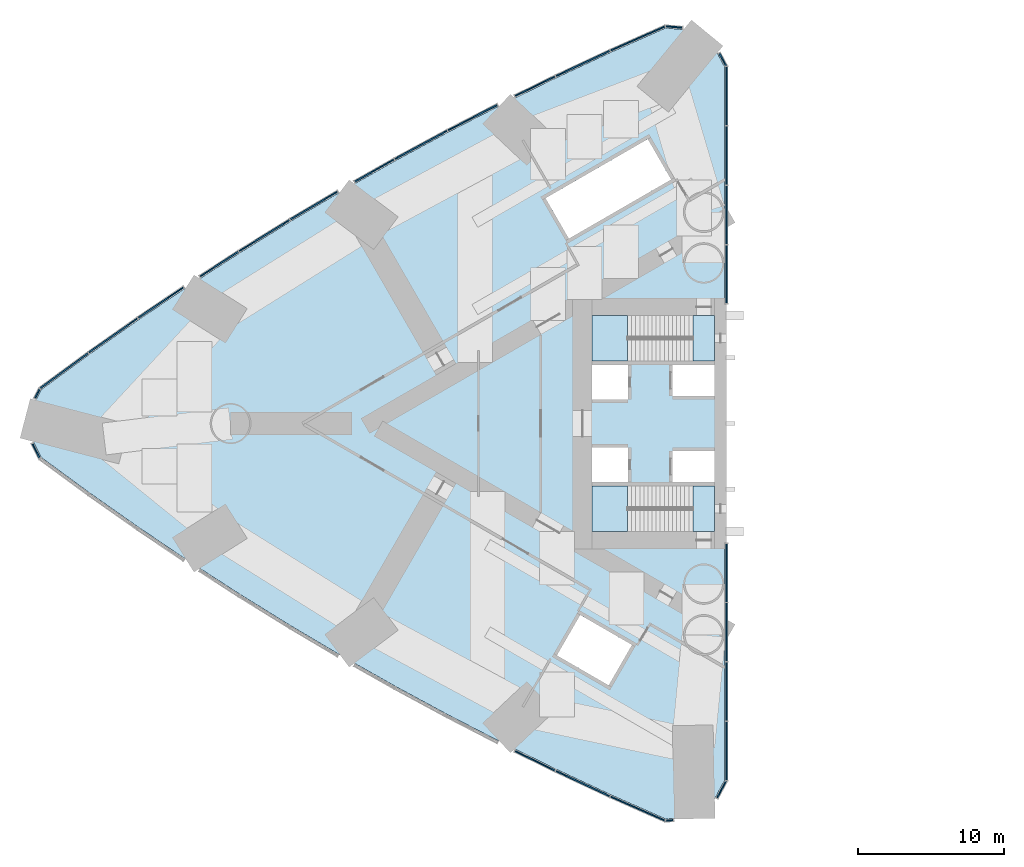
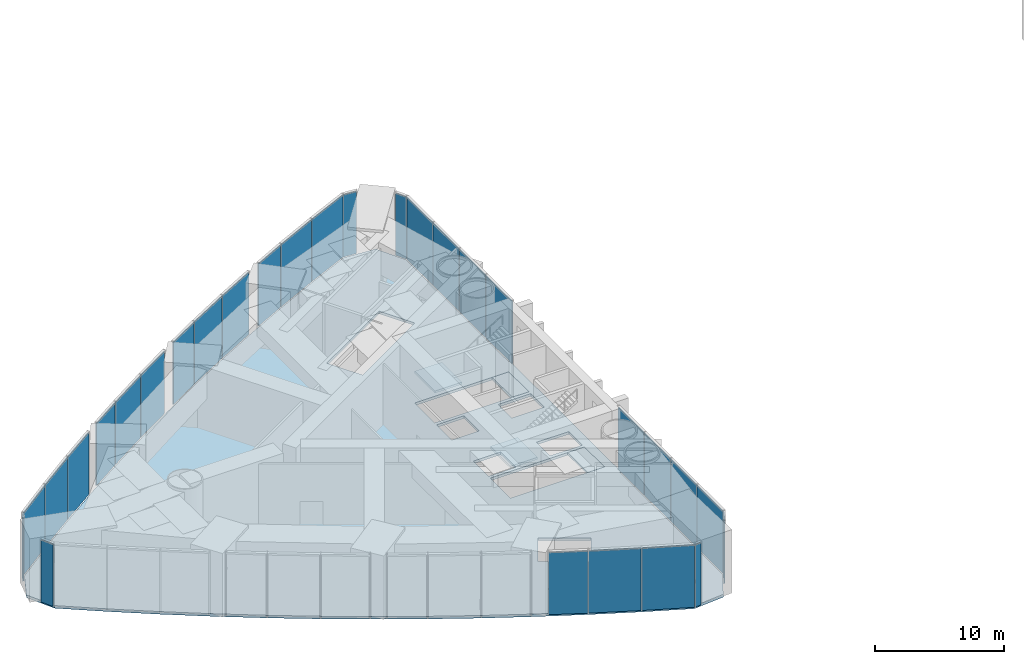
# One storey, part 11 of 18: 29 plates, 5 slabs, 10 elements without a shape of their own.
"""IFC4 building model written with IfcOpenShell, lengths in metres."""

from ifc_helpers import new_model, si_unit, direction, frame, origin, origin_2d, place, context, subcontext, project, spatial, polyline, rectangle, outline, extrude, material, layer, layer_set, type_object, element, aggregate, save


model = new_model("IFC4")

# Units and contexts
model_context = context("Model", 3, precision=1e-05, world=origin(), true_north=direction((0.0, 1.0)))
body_context = subcontext(model_context, "Body", "Model", "MODEL_VIEW")
ifc_project = project(units=[si_unit("LENGTHUNIT", "METRE"), si_unit("AREAUNIT", "SQUARE_METRE"), si_unit("VOLUMEUNIT", "CUBIC_METRE"), si_unit("PLANEANGLEUNIT", "RADIAN"), si_unit("MASSUNIT", "GRAM", prefix="KILO")], contexts=[model_context])

# Site, building, storey
site_placement = place(None, origin())
site = spatial("IfcSite", under=ifc_project, at=site_placement, CompositionType="ELEMENT")
building_placement = place(site_placement, origin())
building = spatial("IfcBuilding", under=site, at=building_placement, Name="Lancet Gate Hotel", CompositionType="ELEMENT")
storey_placement = place(building_placement, frame((0.0, 0.0, 81.0)))
storey = spatial("IfcBuildingStorey", under=building, at=storey_placement, Name="L21", CompositionType="ELEMENT", Elevation=81.0)

# Slab
ifc_material_1 = material(Name="Concrete C50/60", Category="concrete")
ifc_layer_1 = layer(ifc_material_1, 0.25)
ifc_layer_set_1 = layer_set([ifc_layer_1], Name="Floor slab 250")
slab_type_1 = type_object("IfcSlabType", Name="Floor slab 250", PredefinedType="FLOOR", material=ifc_layer_set_1)
slab_1_placement = place(storey_placement, frame((0.0, 0.0, -0.25)))
element("IfcSlab", 1, at=slab_1_placement, inside=storey, type_object=slab_type_1, Name="T1 L21 floor slab", PredefinedType="FLOOR", context=body_context, shape_type="SweptSolid", body=[
    extrude(outline(polyline([(-27.5, 8.60009765625), (-27.6201171875, 8.60009765625), (-27.6201171875, 24.4609375), (-28.926513671875, 26.8837890625), (-31.668212890625, 27.12353515625), (-35.424072265625, 25.458740234375), (-39.173583984375, 23.70849609375), (-42.887939453125, 21.884765625), (-46.56591796875, 19.98876953125), (-50.2060546875, 18.02099609375), (-53.806884765625, 15.982421875), (-57.366943359375, 13.87353515625), (-60.88525390625, 11.695068359375), (-64.360107421875, 9.448486328125), (-67.7900390625, 7.134033203125), (-71.17431640625, 4.752685546875), (-74.488525390625, 2.322021484375), (-75.65087890625, 0.0), (-74.488525390625, -2.322021484375), (-71.17431640625, -4.752685546875), (-67.7900390625, -7.134033203125), (-64.360107421875, -9.448486328125), (-60.88525390625, -11.695068359375), (-57.366943359375, -13.87353515625), (-53.806884765625, -15.982421875), (-50.2060546875, -18.02099609375), (-46.56591796875, -19.98876953125), (-42.887939453125, -21.884765625), (-39.173583984375, -23.70849609375), (-35.424072265625, -25.458740234375), (-31.668212890625, -27.12353515625), (-28.926513671875, -26.8837890625), (-27.6201171875, -24.4609375), (-27.6201171875, -8.60009765625), (-27.5, -8.60009765625), (-27.5, -8.199951171875), (-27.5, 8.199951171875), (-27.5, 8.60009765625)]), holes=[polyline([(-36.699951171875, 7.39990234375), (-36.699951171875, 4.300048828125), (-28.300048828125, 4.300048828125), (-28.300048828125, 7.39990234375), (-36.699951171875, 7.39990234375)]), polyline([(-28.300048828125, 4.0), (-31.199951171875, 4.0), (-31.199951171875, 1.89990234375), (-28.300048828125, 1.89990234375), (-28.300048828125, 4.0)]), polyline([(-34.25, 4.0), (-36.699951171875, 4.0), (-36.699951171875, 1.64990234375), (-34.25, 1.64990234375), (-34.25, 4.0)]), polyline([(-36.699951171875, -1.64990234375), (-36.699951171875, -4.0), (-34.25, -4.0), (-34.25, -1.64990234375), (-36.699951171875, -1.64990234375)]), polyline([(-28.300048828125, -1.89990234375), (-31.199951171875, -1.89990234375), (-31.199951171875, -4.0), (-28.300048828125, -4.0), (-28.300048828125, -1.89990234375)]), polyline([(-28.300048828125, -4.300048828125), (-36.699951171875, -4.300048828125), (-36.699951171875, -7.39990234375), (-28.300048828125, -7.39990234375), (-28.300048828125, -4.300048828125)]), polyline([(-31.2900390625, 16.73095703125), (-32.889892578125, 19.501953125), (-39.904052734375, 15.451904296875), (-38.303955078125, 12.680908203125), (-31.2900390625, 16.73095703125)]), polyline([(-33.97412109375, -15.180908203125), (-37.52490234375, -13.131103515625), (-39.125, -15.902099609375), (-35.573974609375, -17.951904296875), (-33.97412109375, -15.180908203125)])]), origin(), (0.0, 0.0, 1.0), 0.25),
])

# Curtain wall, plates
ifc_material_2 = material(Name="Aluminium curtain wall", Category="aluminium")
curtain_wall_type = type_object("IfcCurtainWallType", Name="Refuge storey louvred curtain wall", PredefinedType="USERDEFINED", material=ifc_material_2)
curtain_wall_1_placement = place(storey_placement, origin())
curtain_wall_1 = element("IfcCurtainWall", 2, at=curtain_wall_1_placement, inside=storey, type_object=curtain_wall_type, Name="T1 L21 curtain wall 1", ObjectType="LANTERN GLAZING", PredefinedType="USERDEFINED")
ifc_material_3 = material(Name="Aluminium weather louvre 100 deep", Category="aluminium")
ifc_layer_2 = layer(ifc_material_3, 0.10009765625)
ifc_layer_set_2 = layer_set([ifc_layer_2], Name="Louvre panel")
plate_type = type_object("IfcPlateType", Name="Louvre panel", PredefinedType="CURTAIN_PANEL", material=ifc_layer_set_2)
plate_1_placement = place(storey_placement, frame((-27.5, 10.236328125, 0.0), z_axis=(0.0, 0.0, 1.0), x_axis=(0.0, 1.0, 0.0)))
plate_1 = element("IfcPlate", 3, at=plate_1_placement, type_object=plate_type, Name="T1 L21 curtain wall 1 panel 1", PredefinedType="CURTAIN_PANEL", context=body_context, shape_type="SweptSolid", body=[
    extrude(rectangle(XDim=4.0078125, YDim=0.10009765625, at=origin_2d()), origin(), (0.0, 0.0, 1.0), 5.85009765625),
])
plate_2_placement = place(storey_placement, frame((-27.5, 14.30908203125, 0.0), z_axis=(0.0, 0.0, 1.0), x_axis=(0.0, 1.0, 0.0)))
plate_2 = element("IfcPlate", 4, at=plate_2_placement, type_object=plate_type, Name="T1 L21 curtain wall 1 panel 2", PredefinedType="CURTAIN_PANEL", context=body_context, shape_type="SweptSolid", body=[
    extrude(rectangle(XDim=4.0078125, YDim=0.10009765625, at=origin_2d()), origin(), (0.0, 0.0, 1.0), 5.85009765625),
])
plate_3_placement = place(storey_placement, frame((-27.5, 18.382080078125, 0.0), z_axis=(0.0, 0.0, 1.0), x_axis=(0.0, 1.0, 0.0)))
plate_3 = element("IfcPlate", 5, at=plate_3_placement, type_object=plate_type, Name="T1 L21 curtain wall 1 panel 3", PredefinedType="CURTAIN_PANEL", context=body_context, shape_type="SweptSolid", body=[
    extrude(rectangle(XDim=4.0078125, YDim=0.10009765625, at=origin_2d()), origin(), (0.0, 0.0, 1.0), 5.85009765625),
])
plate_4_placement = place(storey_placement, frame((-27.5, 22.454833984375, 0.0), z_axis=(0.0, 0.0, 1.0), x_axis=(0.0, 1.0, 0.0)))
plate_4 = element("IfcPlate", 6, at=plate_4_placement, type_object=plate_type, Name="T1 L21 curtain wall 1 panel 4", PredefinedType="CURTAIN_PANEL", context=body_context, shape_type="SweptSolid", body=[
    extrude(rectangle(XDim=4.0078125, YDim=0.10009765625, at=origin_2d()), origin(), (0.0, 0.0, 1.0), 5.85009765625),
])
plate_5_placement = place(storey_placement, frame((-27.749755859375, 24.9541015625, 0.0), z_axis=(0.0, 0.0, 1.0), x_axis=(-0.474631040972, 0.880184852714, 0.0)))
plate_5 = element("IfcPlate", 7, at=plate_5_placement, type_object=plate_type, Name="T1 L21 curtain wall 1 panel 5", PredefinedType="CURTAIN_PANEL", context=body_context, shape_type="SweptSolid", body=[
    extrude(rectangle(XDim=0.987060546875, YDim=0.10009765625, at=origin_2d()), origin(), (0.0, 0.0, 1.0), 5.85009765625),
])
aggregate(curtain_wall_1, [plate_1, plate_2, plate_3, plate_4, plate_5])

curtain_wall_2_placement = place(storey_placement, origin())
curtain_wall_2 = element("IfcCurtainWall", 8, at=curtain_wall_2_placement, inside=storey, type_object=curtain_wall_type, Name="T1 L21 curtain wall 2", ObjectType="LANTERN GLAZING", PredefinedType="USERDEFINED")
plate_6_placement = place(storey_placement, frame((-31.087158203125, 27.193115234375, 0.0), z_axis=(0.0, 0.0, 1.0), x_axis=(-0.99620380374, 0.087051602022, 0.0)))
plate_6 = element("IfcPlate", 9, at=plate_6_placement, type_object=plate_type, Name="T1 L21 curtain wall 2 panel 1", PredefinedType="CURTAIN_PANEL", context=body_context, shape_type="SweptSolid", body=[
    extrude(rectangle(XDim=1.142822265625, YDim=0.10009765625, at=origin_2d()), origin(), (0.0, 0.0, 1.0), 5.85009765625),
])
plate_7_placement = place(storey_placement, frame((-33.581298828125, 26.406982421875, 0.0), z_axis=(0.0, 0.0, 1.0), x_axis=(-0.914234183208, -0.405186201954, 0.0)))
plate_7 = element("IfcPlate", 10, at=plate_7_placement, type_object=plate_type, Name="T1 L21 curtain wall 2 panel 2", PredefinedType="CURTAIN_PANEL", context=body_context, shape_type="SweptSolid", body=[
    extrude(rectangle(XDim=4.0751953125, YDim=0.10009765625, at=origin_2d()), origin(), (0.0, 0.0, 1.0), 5.85009765625),
])
plate_8_placement = place(storey_placement, frame((-37.349609375, 24.6923828125, 0.0), z_axis=(0.0, 0.0, 1.0), x_axis=(-0.906117767284, -0.423025521467, 0.0)))
plate_8 = element("IfcPlate", 11, at=plate_8_placement, type_object=plate_type, Name="T1 L21 curtain wall 2 panel 3", PredefinedType="CURTAIN_PANEL", context=body_context, shape_type="SweptSolid", body=[
    extrude(rectangle(XDim=4.0751953125, YDim=0.10009765625, at=origin_2d()), origin(), (0.0, 0.0, 1.0), 5.85009765625),
])
plate_9_placement = place(storey_placement, frame((-40.62158203125, 23.131103515625, 0.0), z_axis=(0.0, 0.0, 1.0), x_axis=(-0.897653295642, -0.440702349463, 0.0)))
plate_9 = element("IfcPlate", 12, at=plate_9_placement, type_object=plate_type, Name="T1 L21 curtain wall 2 panel 4", PredefinedType="CURTAIN_PANEL", context=body_context, shape_type="SweptSolid", body=[
    extrude(rectangle(XDim=3.0458984375, YDim=0.10009765625, at=origin_2d()), origin(), (0.0, 0.0, 1.0), 5.85009765625),
])
aggregate(curtain_wall_2, [plate_6, plate_7, plate_8, plate_9])

curtain_wall_3_placement = place(storey_placement, origin())
curtain_wall_3 = element("IfcCurtainWall", 13, at=curtain_wall_3_placement, inside=storey, type_object=curtain_wall_type, Name="T1 L21 curtain wall 3", ObjectType="LANTERN GLAZING", PredefinedType="USERDEFINED")
plate_10_placement = place(storey_placement, frame((-44.905029296875, 20.97998046875, 0.0), z_axis=(0.0, 0.0, 1.0), x_axis=(-0.888844019644, -0.458209895946, 0.0)))
plate_10 = element("IfcPlate", 14, at=plate_10_placement, type_object=plate_type, Name="T1 L21 curtain wall 3 panel 1", PredefinedType="CURTAIN_PANEL", context=body_context, shape_type="SweptSolid", body=[
    extrude(rectangle(XDim=3.798095703125, YDim=0.10009765625, at=origin_2d()), origin(), (0.0, 0.0, 1.0), 5.85009765625),
])
plate_11_placement = place(storey_placement, frame((-48.443115234375, 19.110595703125, 0.0), z_axis=(0.0, 0.0, 1.0), x_axis=(-0.87969332307, -0.475541435993, 0.0)))
plate_11 = element("IfcPlate", 15, at=plate_11_placement, type_object=plate_type, Name="T1 L21 curtain wall 3 panel 2", PredefinedType="CURTAIN_PANEL", context=body_context, shape_type="SweptSolid", body=[
    extrude(rectangle(XDim=4.0751953125, YDim=0.10009765625, at=origin_2d()), origin(), (0.0, 0.0, 1.0), 5.85009765625),
])
plate_12_placement = place(storey_placement, frame((-51.640380859375, 17.346923828125, 0.0), z_axis=(0.0, 0.0, 1.0), x_axis=(-0.870204720871, -0.492690312238, 0.0)))
plate_12 = element("IfcPlate", 16, at=plate_12_placement, type_object=plate_type, Name="T1 L21 curtain wall 3 panel 3", PredefinedType="CURTAIN_PANEL", context=body_context, shape_type="SweptSolid", body=[
    extrude(rectangle(XDim=3.09814453125, YDim=0.10009765625, at=origin_2d()), origin(), (0.0, 0.0, 1.0), 5.85009765625),
])
aggregate(curtain_wall_3, [plate_10, plate_11, plate_12])

curtain_wall_4_placement = place(storey_placement, origin())
curtain_wall_4 = element("IfcCurtainWall", 17, at=curtain_wall_4_placement, inside=storey, type_object=curtain_wall_type, Name="T1 L21 curtain wall 4", ObjectType="LANTERN GLAZING", PredefinedType="USERDEFINED")
plate_13_placement = place(storey_placement, frame((-55.7841796875, 14.95068359375, 0.0), z_axis=(0.0, 0.0, 1.0), x_axis=(-0.860381857795, -0.509649937484, 0.0)))
plate_13 = element("IfcPlate", 18, at=plate_13_placement, type_object=plate_type, Name="T1 L21 curtain wall 4 panel 1", PredefinedType="CURTAIN_PANEL", context=body_context, shape_type="SweptSolid", body=[
    extrude(rectangle(XDim=3.75927734375, YDim=0.10009765625, at=origin_2d()), origin(), (0.0, 0.0, 1.0), 5.85009765625),
])
plate_14_placement = place(storey_placement, frame((-59.189208984375, 12.88623046875, 0.0), z_axis=(0.0, 0.0, 1.0), x_axis=(-0.850228506958, -0.52641379727, 0.0)))
plate_14 = element("IfcPlate", 19, at=plate_14_placement, type_object=plate_type, Name="T1 L21 curtain wall 4 panel 2", PredefinedType="CURTAIN_PANEL", context=body_context, shape_type="SweptSolid", body=[
    extrude(rectangle(XDim=4.0751953125, YDim=0.10009765625, at=origin_2d()), origin(), (0.0, 0.0, 1.0), 5.85009765625),
])
plate_15_placement = place(storey_placement, frame((-62.2880859375, 10.93115234375, 0.0), z_axis=(0.0, 0.0, 1.0), x_axis=(-0.839748568448, -0.54297545229, 0.0)))
plate_15 = element("IfcPlate", 20, at=plate_15_placement, type_object=plate_type, Name="T1 L21 curtain wall 4 panel 3", PredefinedType="CURTAIN_PANEL", context=body_context, shape_type="SweptSolid", body=[
    extrude(rectangle(XDim=3.123046875, YDim=0.10009765625, at=origin_2d()), origin(), (0.0, 0.0, 1.0), 5.85009765625),
])
aggregate(curtain_wall_4, [plate_13, plate_14, plate_15])

curtain_wall_5_placement = place(storey_placement, origin())
curtain_wall_5 = element("IfcCurtainWall", 21, at=curtain_wall_5_placement, inside=storey, type_object=curtain_wall_type, Name="T1 L21 curtain wall 5", ObjectType="LANTERN GLAZING", PredefinedType="USERDEFINED")
plate_16_placement = place(storey_placement, frame((-66.281005859375, 8.296875, 0.0), z_axis=(0.0, 0.0, 1.0), x_axis=(-0.828946067803, -0.559328540907, 0.0)))
plate_16 = element("IfcPlate", 22, at=plate_16_placement, type_object=plate_type, Name="T1 L21 curtain wall 5 panel 1", PredefinedType="CURTAIN_PANEL", context=body_context, shape_type="SweptSolid", body=[
    extrude(rectangle(XDim=3.740234375, YDim=0.10009765625, at=origin_2d()), origin(), (0.0, 0.0, 1.0), 5.85009765625),
])
plate_17_placement = place(storey_placement, frame((-69.55126953125, 6.04150390625, 0.0), z_axis=(0.0, 0.0, 1.0), x_axis=(-0.817825154435, -0.575466781642, 0.0)))
plate_17 = element("IfcPlate", 23, at=plate_17_placement, type_object=plate_type, Name="T1 L21 curtain wall 5 panel 2", PredefinedType="CURTAIN_PANEL", context=body_context, shape_type="SweptSolid", body=[
    extrude(rectangle(XDim=4.0751953125, YDim=0.10009765625, at=origin_2d()), origin(), (0.0, 0.0, 1.0), 5.85009765625),
])
plate_18_placement = place(storey_placement, frame((-72.91357421875, 3.6259765625, 0.0), z_axis=(0.0, 0.0, 1.0), x_axis=(-0.80639010009, -0.591383975499, 0.0)))
plate_18 = element("IfcPlate", 24, at=plate_18_placement, type_object=plate_type, Name="T1 L21 curtain wall 5 panel 3", PredefinedType="CURTAIN_PANEL", context=body_context, shape_type="SweptSolid", body=[
    extrude(rectangle(XDim=4.0751953125, YDim=0.10009765625, at=origin_2d()), origin(), (0.0, 0.0, 1.0), 5.85009765625),
])
plate_19_placement = place(storey_placement, frame((-74.756591796875, 2.054931640625, 0.0), z_axis=(0.0, 0.0, 1.0), x_axis=(-0.447628324726, -0.89421970617, 0.0)))
plate_19 = element("IfcPlate", 25, at=plate_19_placement, type_object=plate_type, Name="T1 L21 curtain wall 5 panel 4", PredefinedType="CURTAIN_PANEL", context=body_context, shape_type="SweptSolid", body=[
    extrude(rectangle(XDim=0.71044921875, YDim=0.10009765625, at=origin_2d()), origin(), (0.0, 0.0, 1.0), 5.85009765625),
])
aggregate(curtain_wall_5, [plate_16, plate_17, plate_18, plate_19])

# Curtain wall, plate
curtain_wall_6_placement = place(storey_placement, origin())
curtain_wall_6 = element("IfcCurtainWall", 26, at=curtain_wall_6_placement, inside=storey, type_object=curtain_wall_type, Name="T1 L21 curtain wall 6", ObjectType="LANTERN GLAZING", PredefinedType="USERDEFINED")
plate_20_placement = place(storey_placement, frame((-74.84619140625, -1.875732421875, 0.0), z_axis=(0.0, 0.0, 1.0), x_axis=(0.447628324726, -0.89421970617, 0.0)))
plate_20 = element("IfcPlate", 27, at=plate_20_placement, type_object=plate_type, Name="T1 L21 curtain wall 6 panel 1", PredefinedType="CURTAIN_PANEL", context=body_context, shape_type="SweptSolid", body=[
    extrude(rectangle(XDim=1.111083984375, YDim=0.10009765625, at=origin_2d()), origin(), (0.0, 0.0, 1.0), 5.85009765625),
])
aggregate(curtain_wall_6, [plate_20])

# Curtain wall, plates
curtain_wall_7_placement = place(storey_placement, origin())
curtain_wall_7 = element("IfcCurtainWall", 28, at=curtain_wall_7_placement, inside=storey, type_object=curtain_wall_type, Name="T1 L21 curtain wall 9", ObjectType="LANTERN GLAZING", PredefinedType="USERDEFINED")
plate_21_placement = place(storey_placement, frame((-40.62158203125, -23.131103515625, 0.0), z_axis=(0.0, 0.0, 1.0), x_axis=(0.897653295642, -0.440702349463, 0.0)))
plate_21 = element("IfcPlate", 29, at=plate_21_placement, type_object=plate_type, Name="T1 L21 curtain wall 9 panel 1", PredefinedType="CURTAIN_PANEL", context=body_context, shape_type="SweptSolid", body=[
    extrude(rectangle(XDim=3.0458984375, YDim=0.10009765625, at=origin_2d()), origin(), (0.0, 0.0, 1.0), 5.85009765625),
])
plate_22_placement = place(storey_placement, frame((-37.349609375, -24.6923828125, 0.0), z_axis=(0.0, 0.0, 1.0), x_axis=(0.906117767284, -0.423025521467, 0.0)))
plate_22 = element("IfcPlate", 30, at=plate_22_placement, type_object=plate_type, Name="T1 L21 curtain wall 9 panel 2", PredefinedType="CURTAIN_PANEL", context=body_context, shape_type="SweptSolid", body=[
    extrude(rectangle(XDim=4.0751953125, YDim=0.10009765625, at=origin_2d()), origin(), (0.0, 0.0, 1.0), 5.85009765625),
])
plate_23_placement = place(storey_placement, frame((-33.581298828125, -26.406982421875, 0.0), z_axis=(0.0, 0.0, 1.0), x_axis=(0.914234183208, -0.405186201954, 0.0)))
plate_23 = element("IfcPlate", 31, at=plate_23_placement, type_object=plate_type, Name="T1 L21 curtain wall 9 panel 3", PredefinedType="CURTAIN_PANEL", context=body_context, shape_type="SweptSolid", body=[
    extrude(rectangle(XDim=4.0751953125, YDim=0.10009765625, at=origin_2d()), origin(), (0.0, 0.0, 1.0), 5.85009765625),
])
plate_24_placement = place(storey_placement, frame((-31.404296875, -27.220703125, 0.0), z_axis=(0.0, 0.0, 1.0), x_axis=(0.99620380374, 0.087051602022, 0.0)))
plate_24 = element("IfcPlate", 32, at=plate_24_placement, type_object=plate_type, Name="T1 L21 curtain wall 9 panel 4", PredefinedType="CURTAIN_PANEL", context=body_context, shape_type="SweptSolid", body=[
    extrude(rectangle(XDim=0.505859375, YDim=0.10009765625, at=origin_2d()), origin(), (0.0, 0.0, 1.0), 5.85009765625),
])
aggregate(curtain_wall_7, [plate_21, plate_22, plate_23, plate_24])

curtain_wall_8_placement = place(storey_placement, origin())
curtain_wall_8 = element("IfcCurtainWall", 33, at=curtain_wall_8_placement, inside=storey, type_object=curtain_wall_type, Name="T1 L21 curtain wall 10", ObjectType="LANTERN GLAZING", PredefinedType="USERDEFINED")
plate_25_placement = place(storey_placement, frame((-27.8291015625, -25.101318359375, 0.0), z_axis=(0.0, 0.0, 1.0), x_axis=(0.474631040972, 0.880184852714, 0.0)))
plate_25 = element("IfcPlate", 34, at=plate_25_placement, type_object=plate_type, Name="T1 L21 curtain wall 10 panel 1", PredefinedType="CURTAIN_PANEL", context=body_context, shape_type="SweptSolid", body=[
    extrude(rectangle(XDim=1.3212890625, YDim=0.10009765625, at=origin_2d()), origin(), (0.0, 0.0, 1.0), 5.85009765625),
])
plate_26_placement = place(storey_placement, frame((-27.5, -22.454833984375, 0.0), z_axis=(0.0, 0.0, 1.0), x_axis=(0.0, 1.0, 0.0)))
plate_26 = element("IfcPlate", 35, at=plate_26_placement, type_object=plate_type, Name="T1 L21 curtain wall 10 panel 2", PredefinedType="CURTAIN_PANEL", context=body_context, shape_type="SweptSolid", body=[
    extrude(rectangle(XDim=4.0078125, YDim=0.10009765625, at=origin_2d()), origin(), (0.0, 0.0, 1.0), 5.85009765625),
])
plate_27_placement = place(storey_placement, frame((-27.5, -18.382080078125, 0.0), z_axis=(0.0, 0.0, 1.0), x_axis=(0.0, 1.0, 0.0)))
plate_27 = element("IfcPlate", 36, at=plate_27_placement, type_object=plate_type, Name="T1 L21 curtain wall 10 panel 3", PredefinedType="CURTAIN_PANEL", context=body_context, shape_type="SweptSolid", body=[
    extrude(rectangle(XDim=4.0078125, YDim=0.10009765625, at=origin_2d()), origin(), (0.0, 0.0, 1.0), 5.85009765625),
])
plate_28_placement = place(storey_placement, frame((-27.5, -14.30908203125, 0.0), z_axis=(0.0, 0.0, 1.0), x_axis=(0.0, 1.0, 0.0)))
plate_28 = element("IfcPlate", 37, at=plate_28_placement, type_object=plate_type, Name="T1 L21 curtain wall 10 panel 4", PredefinedType="CURTAIN_PANEL", context=body_context, shape_type="SweptSolid", body=[
    extrude(rectangle(XDim=4.0078125, YDim=0.10009765625, at=origin_2d()), origin(), (0.0, 0.0, 1.0), 5.85009765625),
])
plate_29_placement = place(storey_placement, frame((-27.5, -10.236328125, 0.0), z_axis=(0.0, 0.0, 1.0), x_axis=(0.0, 1.0, 0.0)))
plate_29 = element("IfcPlate", 38, at=plate_29_placement, type_object=plate_type, Name="T1 L21 curtain wall 10 panel 5", PredefinedType="CURTAIN_PANEL", context=body_context, shape_type="SweptSolid", body=[
    extrude(rectangle(XDim=4.0078125, YDim=0.10009765625, at=origin_2d()), origin(), (0.0, 0.0, 1.0), 5.85009765625),
])
aggregate(curtain_wall_8, [plate_25, plate_26, plate_27, plate_28, plate_29])

# Stair, slabs
ifc_material_4 = material(Name="Exit stair 34 risers 1500")
stair_type = type_object("IfcStairType", Name="Exit stair 34 risers 1500", PredefinedType="HALF_TURN_STAIR", material=ifc_material_4)
stair_1_placement = place(storey_placement, origin())
stair_1 = element("IfcStair", 39, at=stair_1_placement, inside=storey, type_object=stair_type, Name="T1 stair 1 L21", PredefinedType="HALF_TURN_STAIR")
ifc_material_5 = material(Name="Concrete C40/50", Category="concrete")
ifc_layer_3 = layer(ifc_material_5, 0.199951171875)
ifc_layer_set_3 = layer_set([ifc_layer_3], Name="Stair landing 200")
slab_type_2 = type_object("IfcSlabType", Name="Stair landing 200", PredefinedType="LANDING", material=ifc_layer_set_3)
slab_2_placement = place(storey_placement, frame((0.0, 0.0, -0.199951171875)))
slab_2 = element("IfcSlab", 40, at=slab_2_placement, type_object=slab_type_2, Name="ST1 landing 1", PredefinedType="LANDING", context=body_context, shape_type="SweptSolid", body=[
    extrude(outline(polyline([(-28.300048828125, 7.39990234375), (-29.800048828125, 7.39990234375), (-29.800048828125, 4.300048828125), (-28.300048828125, 4.300048828125), (-28.300048828125, 7.39990234375)])), origin(), (0.0, 0.0, 1.0), 0.199951171875),
])
slab_3_placement = place(storey_placement, frame((0.0, 0.0, 2.800048828125)))
slab_3 = element("IfcSlab", 41, at=slab_3_placement, type_object=slab_type_2, Name="ST1 landing 2", PredefinedType="LANDING", context=body_context, shape_type="SweptSolid", body=[
    extrude(outline(polyline([(-34.280029296875, 7.39990234375), (-36.699951171875, 7.39990234375), (-36.699951171875, 4.300048828125), (-34.280029296875, 4.300048828125), (-34.280029296875, 7.39990234375)])), origin(), (0.0, 0.0, 1.0), 0.199951171875),
])
aggregate(stair_1, [slab_2, slab_3])

stair_2_placement = place(storey_placement, origin())
stair_2 = element("IfcStair", 42, at=stair_2_placement, inside=storey, type_object=stair_type, Name="T1 stair 2 L21", PredefinedType="HALF_TURN_STAIR")
slab_4_placement = place(storey_placement, frame((0.0, 0.0, -0.199951171875)))
slab_4 = element("IfcSlab", 43, at=slab_4_placement, type_object=slab_type_2, Name="ST2 landing 1", PredefinedType="LANDING", context=body_context, shape_type="SweptSolid", body=[
    extrude(outline(polyline([(-28.300048828125, -4.300048828125), (-29.800048828125, -4.300048828125), (-29.800048828125, -7.39990234375), (-28.300048828125, -7.39990234375), (-28.300048828125, -4.300048828125)])), origin(), (0.0, 0.0, 1.0), 0.199951171875),
])
slab_5_placement = place(storey_placement, frame((0.0, 0.0, 2.800048828125)))
slab_5 = element("IfcSlab", 44, at=slab_5_placement, type_object=slab_type_2, Name="ST2 landing 2", PredefinedType="LANDING", context=body_context, shape_type="SweptSolid", body=[
    extrude(outline(polyline([(-34.280029296875, -4.300048828125), (-36.699951171875, -4.300048828125), (-36.699951171875, -7.39990234375), (-34.280029296875, -7.39990234375), (-34.280029296875, -4.300048828125)])), origin(), (0.0, 0.0, 1.0), 0.199951171875),
])
aggregate(stair_2, [slab_4, slab_5])

save(model, "model.ifc")
